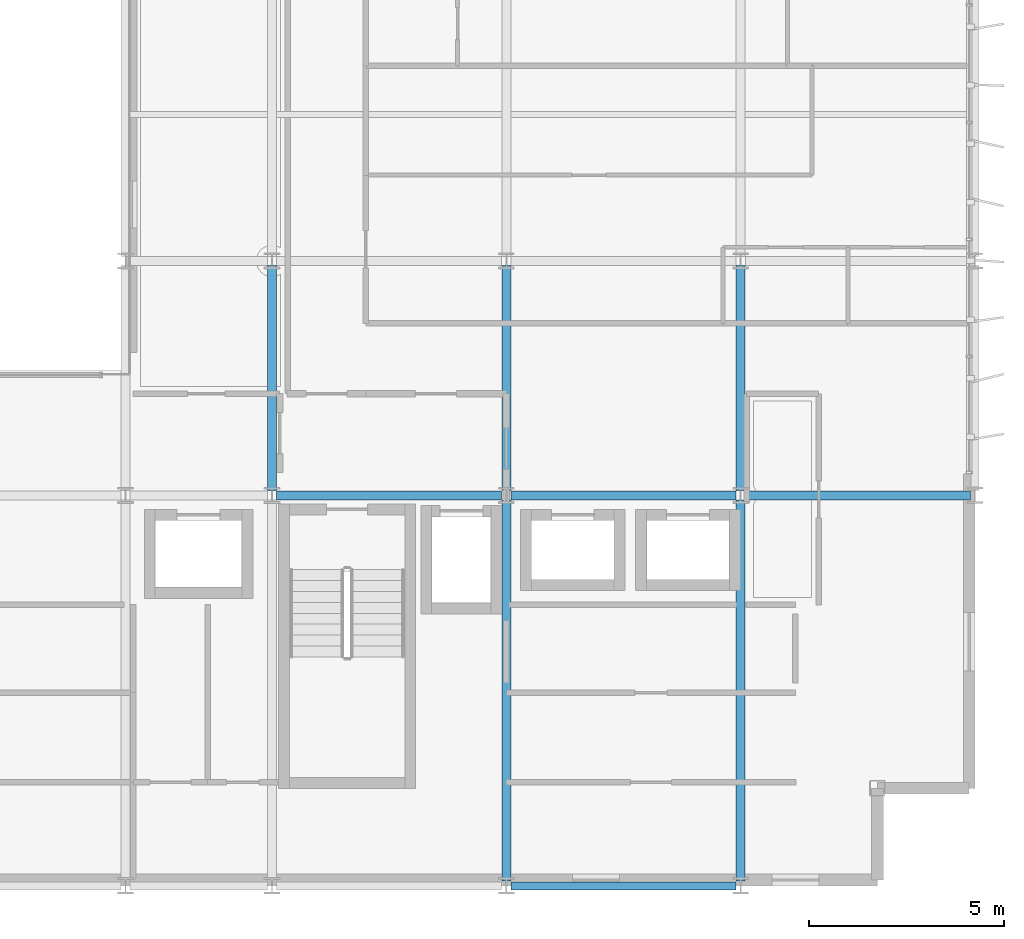
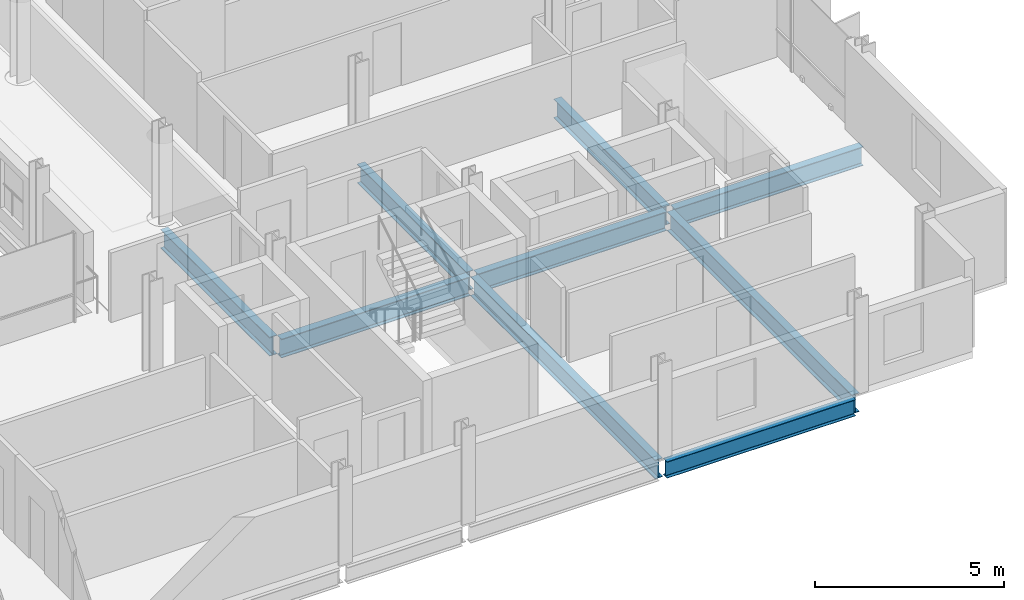
# One storey, part 16 of 39: 9 beams.
"""IFC4 building model written with IfcOpenShell, lengths in metres."""

import ifcopenshell
import ifcopenshell.guid

model = None  # the IFC model being written
_history = None  # IfcOwnerHistory: only IFC2X3 demands one
_inside = {}  # id of a spatial element -> (the spatial element, [elements in it])
_under = {}  # id of a project, library or spatial element -> (it, [spatial elements below it])
_declared = {}  # id of a project -> (the project, [libraries it declares])
_typed = {}  # id of a type object -> (the type object, [elements of that type])
_made_of = {}  # id of a material, layer set ... -> (it, [elements and type objects made of it])


def new_model(schema):
    """Start an empty IFC model of exactly this schema.

    Asked for "IFC4X3", IfcOpenShell would pick the latest addendum, in which some entities
    have other attributes; the version numbers below select the first issue.
    IFC2X3 requires an IfcOwnerHistory on every rooted entity: one is made here for all.
    """
    global model, _history
    if schema == "IFC4X3":
        model = ifcopenshell.file(schema_version=(4, 3, 0, 0))
    else:
        model = ifcopenshell.file(schema=schema)
    _inside.clear()
    _under.clear()
    _declared.clear()
    _typed.clear()
    _made_of.clear()
    _history = None
    if model.schema == "IFC2X3":
        org = make("IfcOrganization", Name="unknown")
        user = make(
            "IfcPersonAndOrganization",
            ThePerson=make("IfcPerson", FamilyName="unknown"),
            TheOrganization=org,
        )
        app = make(
            "IfcApplication",
            ApplicationDeveloper=org,
            Version="unknown",
            ApplicationFullName="unknown",
            ApplicationIdentifier="unknown",
        )
        _history = make(
            "IfcOwnerHistory",
            OwningUser=user,
            OwningApplication=app,
            ChangeAction="ADDED",
            CreationDate=0,
        )
    return model


def make(cls, **values):
    """One entity of the class cls with the attributes given. An attribute that is None is left unset."""
    return model.create_entity(
        cls, **{name: value for name, value in values.items() if value is not None}
    )


def rooted(cls, **values):
    """An entity with a GlobalId (a new one), such as an element, a storey or a relation."""
    return make(cls, GlobalId=ifcopenshell.guid.new(), OwnerHistory=_history, **values)


def si_unit(unit_type, name, prefix=None):
    """IfcSIUnit, for example si_unit("LENGTHUNIT", "METRE", prefix="MILLI")."""
    return make("IfcSIUnit", UnitType=unit_type, Prefix=prefix, Name=name)


def assignment(units):
    """IfcUnitAssignment: the units of a project."""
    return None if units is None else make("IfcUnitAssignment", Units=units)


def point(xyz):
    """IfcCartesianPoint."""
    return None if xyz is None else make("IfcCartesianPoint", Coordinates=xyz)


def direction(xyz):
    """IfcDirection."""
    return None if xyz is None else make("IfcDirection", DirectionRatios=xyz)


def frame(location, z_axis=None, x_axis=None):
    """IfcAxis2Placement3D, a coordinate frame: its origin and axes. An axis left out is left unset."""
    return make(
        "IfcAxis2Placement3D",
        Location=point(location),
        Axis=direction(z_axis),
        RefDirection=direction(x_axis),
    )


def frame_2d(location, x_axis=None):
    """IfcAxis2Placement2D, a coordinate frame in the plane: its origin and x axis."""
    return make(
        "IfcAxis2Placement2D", Location=point(location), RefDirection=direction(x_axis)
    )


def origin():
    """The frame at (0, 0, 0) with its axes left unset."""
    return frame((0.0, 0.0, 0.0))


def origin_2d():
    """The frame at (0, 0) in the plane with its x axis left unset."""
    return frame_2d((0.0, 0.0))


def place(relative_to, where):
    """IfcLocalPlacement: puts the frame where relative to a parent placement (None: the world)."""
    return make(
        "IfcLocalPlacement", PlacementRelTo=relative_to, RelativePlacement=where
    )


def context(
    kind, dimensions, precision=None, world=None, true_north=None, identifier=None
):
    """IfcGeometricRepresentationContext, for example the 3D "Model" context."""
    return make(
        "IfcGeometricRepresentationContext",
        ContextIdentifier=identifier,
        ContextType=kind,
        CoordinateSpaceDimension=dimensions,
        Precision=precision,
        WorldCoordinateSystem=world,
        TrueNorth=true_north,
    )


def subcontext(parent, identifier, kind, view, scale=None):
    """IfcGeometricRepresentationSubContext, for example "Body" below "Model"."""
    return make(
        "IfcGeometricRepresentationSubContext",
        ContextIdentifier=identifier,
        ContextType=kind,
        ParentContext=parent,
        TargetScale=scale,
        TargetView=view,
    )


def project(units=None, contexts=None):
    """IfcProject with its units and contexts."""
    return rooted(
        "IfcProject",
        Name="project",
        RepresentationContexts=contexts,
        UnitsInContext=assignment(units),
    )


def spatial(cls, under=None, at=None, **own):
    """A site, building, storey or space (cls), placed at a placement, below another one or the project."""
    s = rooted(cls, ObjectPlacement=at, **own)
    if under is not None:
        _under.setdefault(under.id(), (under, []))[1].append(s)
    return s


def profile(cls, at=None, kind="AREA", **sizes):
    """A parametric profile (cls). Its sizes go by their IFC names, for example OverallWidth=200.0."""
    return make(cls, ProfileType=kind, Position=at, **sizes)


def i_section(**sizes):
    """IfcIShapeProfileDef."""
    return profile("IfcIShapeProfileDef", **sizes)


def extrude(swept, where, along, depth):
    """IfcExtrudedAreaSolid: the profile swept, set in the frame where, extruded along a direction by depth."""
    return make(
        "IfcExtrudedAreaSolid",
        SweptArea=swept,
        Position=where,
        ExtrudedDirection=direction(along),
        Depth=depth,
    )


def shape(context_of_items, identifier, shape_type, items):
    """IfcShapeRepresentation: the items that make up one representation, for example the "Body"."""
    return make(
        "IfcShapeRepresentation",
        ContextOfItems=context_of_items,
        RepresentationIdentifier=identifier,
        RepresentationType=shape_type,
        Items=items,
    )


def material(Name=None, Category=None):
    """IfcMaterial."""
    return make("IfcMaterial", Name=Name, Category=Category)


def material_profile(
    of_material, cross_section, Name=None, Category=None, Priority=None
):
    """IfcMaterialProfile: a cross section and its material."""
    return make(
        "IfcMaterialProfile",
        Name=Name,
        Material=of_material,
        Profile=cross_section,
        Priority=Priority,
        Category=Category,
    )


def profile_set(profiles, Name=None, composite=None):
    """IfcMaterialProfileSet."""
    return make(
        "IfcMaterialProfileSet",
        Name=Name,
        MaterialProfiles=profiles,
        CompositeProfile=composite,
    )


def made_of(thing, what):
    """Note that an element or type object is made of a material, layer set ...; save() writes the relation."""
    if what is not None:
        _made_of.setdefault(what.id(), (what, []))[1].append(thing)
    return thing


def type_object(cls, material=None, **own):
    """A type object (cls), such as IfcWallType, which elements share."""
    return made_of(rooted(cls, **own), material)


def element(
    cls,
    number,
    at=None,
    inside=None,
    cuts=None,
    type_object=None,
    material=None,
    context=None,
    identifier="Body",
    shape_type=None,
    held_by="IfcProductDefinitionShape",
    body=None,
    shapes=None,
    **own,
):
    """One element of the class cls, such as IfcWall. Its Tag is "e" and its number.

    at: its placement. inside: the storey or other place that contains it. cuts: it is an
    opening in that element (IfcRelVoidsElement). A single representation is given by context,
    identifier, shape_type and body (its items); several are given by shapes. held_by: the class
    of the entity that holds the representations. save() writes the other relations.
    """
    e = rooted(cls, Tag="e%d" % number, ObjectPlacement=at, **own)
    if body is not None:
        shapes = [shape(context, identifier, shape_type, body)]
    if shapes is not None:
        e.Representation = make(held_by, Representations=shapes)
    if inside is not None:
        _inside.setdefault(inside.id(), (inside, []))[1].append(e)
    if cuts is not None:
        rooted(
            "IfcRelVoidsElement", RelatingBuildingElement=cuts, RelatedOpeningElement=e
        )
    if type_object is not None:
        _typed.setdefault(type_object.id(), (type_object, []))[1].append(e)
    return made_of(e, material)


def aggregate(whole, parts):
    """IfcRelAggregates: a whole, such as a stair, and the parts it consists of."""
    return rooted("IfcRelAggregates", RelatingObject=whole, RelatedObjects=parts)


def save(model, path):
    """Write the relations noted so far, then the file.

    IfcRelAggregates (storeys below a building ...), IfcRelContainedInSpatialStructure (elements
    in a storey), IfcRelDefinesByType, IfcRelAssociatesMaterial and IfcRelDeclares: one each for
    every whole, place, type object, material and project.
    """
    for whole, parts in _under.values():
        aggregate(whole, parts)
    for where, things in _inside.values():
        rooted(
            "IfcRelContainedInSpatialStructure",
            RelatedElements=things,
            RelatingStructure=where,
        )
    for kind, things in _typed.values():
        rooted("IfcRelDefinesByType", RelatedObjects=things, RelatingType=kind)
    for what, things in _made_of.values():
        rooted("IfcRelAssociatesMaterial", RelatedObjects=things, RelatingMaterial=what)
    for by, libraries in _declared.values():
        rooted("IfcRelDeclares", RelatingContext=by, RelatedDefinitions=libraries)
    model.write(path)


model = new_model("IFC4")

# Units and contexts
model_context = context("Model", 3, precision=1e-05, world=origin(), true_north=direction((0.0, 1.0)))
body_context = subcontext(model_context, "Body", "Model", "MODEL_VIEW")
ifc_project = project(units=[si_unit("LENGTHUNIT", "METRE"), si_unit("AREAUNIT", "SQUARE_METRE"), si_unit("VOLUMEUNIT", "CUBIC_METRE"), si_unit("PLANEANGLEUNIT", "RADIAN"), si_unit("MASSUNIT", "GRAM", prefix="KILO")], contexts=[model_context])

# Site, building, storey
site_placement = place(None, origin())
site = spatial("IfcSite", under=ifc_project, at=site_placement, CompositionType="ELEMENT")
building_placement = place(site_placement, origin())
building = spatial("IfcBuilding", under=site, at=building_placement, Name="Brevholm Reach", CompositionType="ELEMENT")
storey_placement = place(building_placement, frame((0.0, 0.0, 154.199951171875)))
storey = spatial("IfcBuildingStorey", under=building, at=storey_placement, Name="L46", CompositionType="ELEMENT", Elevation=154.199951171875)

# Beams
ifc_material_1 = material(Name="Structural Steel S355J2", Category="steel")
ifc_material_profile_1 = material_profile(ifc_material_1, i_section(OverallWidth=0.209228515625, OverallDepth=0.533203125, WebThickness=0.010009765625, FlangeThickness=0.015625, FilletRadius=0.0126953125, at=origin_2d()), Name="UKB 533x210x92")
ifc_profile_set_1 = profile_set([ifc_material_profile_1], Name="Structural Steel S355J2")
beam_type_1 = type_object("IfcBeamType", Name="BM-SP533", PredefinedType="SPANDREL", material=ifc_profile_set_1)
beam_1_placement = place(storey_placement, frame((48.1201171875, 0.0, -0.486572265625), z_axis=(1.0, 0.0, 0.0), x_axis=(0.0, 1.0, 0.0)))
element("IfcBeam", 1, at=beam_1_placement, inside=storey, type_object=beam_type_1, Name="L46 SP-02 Framing Beam", PredefinedType="SPANDREL", context=body_context, shape_type="SweptSolid", body=[
    extrude(i_section(OverallWidth=0.209228515625, OverallDepth=0.533203125, WebThickness=0.010009765625, FlangeThickness=0.015625, FilletRadius=0.0126953125, at=origin_2d()), origin(), (0.0, 0.0, 1.0), 5.759765625),
])
ifc_material_2 = material(Name="Structural Steel S355J2", Category="steel")
ifc_material_profile_2 = material_profile(ifc_material_2, i_section(OverallWidth=0.22900390625, OverallDepth=0.6123046875, WebThickness=0.011962890625, FlangeThickness=0.01953125, FilletRadius=0.0126953125, at=origin_2d()), Name="UKB 610x229x125")
ifc_profile_set_2 = profile_set([ifc_material_profile_2], Name="Structural Steel S355J2")
beam_type_2 = type_object("IfcBeamType", Name="BM-SP610", PredefinedType="SPANDREL", material=ifc_profile_set_2)
for number, where, z_axis, x_axis, name in (
    (2, (42.1201171875, 10.0, -0.526123046875), (1.0, 0.0, 0.0), (0.0, 1.0, 0.0), "L46 SP-01 Framing Beam"),
    (3, (48.1201171875, 10.0, -0.526123046875), (1.0, 0.0, 0.0), (0.0, 1.0, 0.0), "L46 SP-01 Framing Beam"),
    (4, (54.1201171875, 10.0, -0.526123046875), (1.0, 0.0, 0.0), (0.0, 1.0, 0.0), "L46 SP-01 Framing Beam"),
    (5, (42.0, 10.1201171875, -0.526123046875), (0.0, 1.0, 0.0), (-1.0, 0.0, 0.0), "L46 SP-01 Framing Beam"),
):
    element("IfcBeam", number, at=place(storey_placement, frame(where, z_axis=z_axis, x_axis=x_axis)), inside=storey, type_object=beam_type_2, Name=name, PredefinedType="SPANDREL", context=body_context, shape_type="SweptSolid", body=[
        extrude(i_section(OverallWidth=0.22900390625, OverallDepth=0.6123046875, WebThickness=0.011962890625, FlangeThickness=0.01953125, FilletRadius=0.0126953125, at=origin_2d()), origin(), (0.0, 0.0, 1.0), 5.759765625),
    ])
beam_2_placement = place(storey_placement, frame((48.0, 0.1201171875, -0.526123046875), z_axis=(0.0, 1.0, 0.0), x_axis=(-1.0, 0.0, 0.0)))
element("IfcBeam", 6, at=beam_2_placement, inside=storey, type_object=beam_type_2, Name="L46 SP-01 Framing Beam", PredefinedType="SPANDREL", context=body_context, shape_type="SweptSolid", body=[
    extrude(i_section(OverallWidth=0.22900390625, OverallDepth=0.6123046875, WebThickness=0.011962890625, FlangeThickness=0.01953125, FilletRadius=0.0126953125, at=origin_2d()), origin(), (0.0, 0.0, 1.0), 9.759765625),
])
beam_3_placement = place(storey_placement, frame((48.0, 10.1201171875, -0.526123046875), z_axis=(0.0, 1.0, 0.0), x_axis=(-1.0, 0.0, 0.0)))
element("IfcBeam", 7, at=beam_3_placement, inside=storey, type_object=beam_type_2, Name="L46 SP-01 Framing Beam", PredefinedType="SPANDREL", context=body_context, shape_type="SweptSolid", body=[
    extrude(i_section(OverallWidth=0.22900390625, OverallDepth=0.6123046875, WebThickness=0.011962890625, FlangeThickness=0.01953125, FilletRadius=0.0126953125, at=origin_2d()), origin(), (0.0, 0.0, 1.0), 5.759765625),
])
beam_4_placement = place(storey_placement, frame((54.0, 0.1201171875, -0.526123046875), z_axis=(0.0, 1.0, 0.0), x_axis=(-1.0, 0.0, 0.0)))
element("IfcBeam", 8, at=beam_4_placement, inside=storey, type_object=beam_type_2, Name="L46 SP-01 Framing Beam", PredefinedType="SPANDREL", context=body_context, shape_type="SweptSolid", body=[
    extrude(i_section(OverallWidth=0.22900390625, OverallDepth=0.6123046875, WebThickness=0.011962890625, FlangeThickness=0.01953125, FilletRadius=0.0126953125, at=origin_2d()), origin(), (0.0, 0.0, 1.0), 9.759765625),
])
beam_5_placement = place(storey_placement, frame((54.0, 10.1201171875, -0.526123046875), z_axis=(0.0, 1.0, 0.0), x_axis=(-1.0, 0.0, 0.0)))
element("IfcBeam", 9, at=beam_5_placement, inside=storey, type_object=beam_type_2, Name="L46 SP-01 Framing Beam", PredefinedType="SPANDREL", context=body_context, shape_type="SweptSolid", body=[
    extrude(i_section(OverallWidth=0.22900390625, OverallDepth=0.6123046875, WebThickness=0.011962890625, FlangeThickness=0.01953125, FilletRadius=0.0126953125, at=origin_2d()), origin(), (0.0, 0.0, 1.0), 5.759765625),
])

save(model, "model.ifc")
